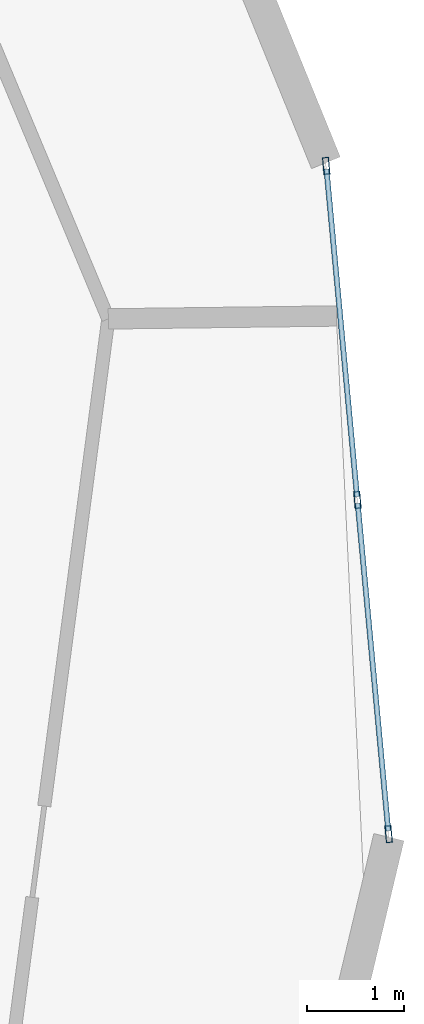
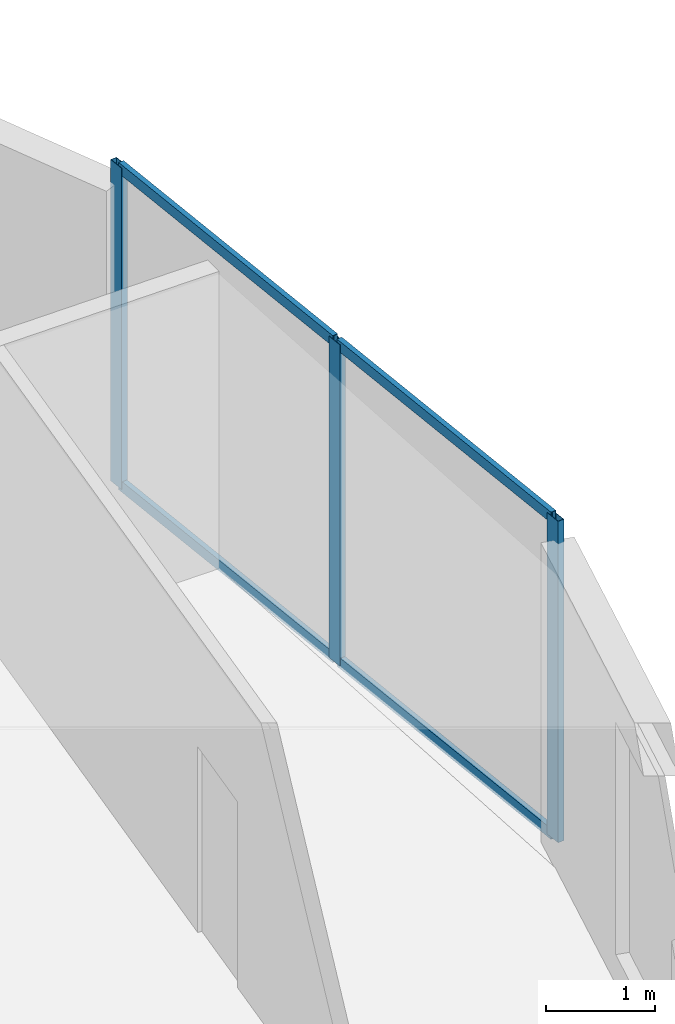
# One storey, part 11 of 22: 7 members, 1 element without a shape of its own.
"""IFC4 building model written with IfcOpenShell, lengths in metres."""

from ifc_helpers import new_model, si_unit, direction, frame, origin, origin_2d, place, context, subcontext, project, spatial, hollow_rectangle, extrude, source, transform, mapped, material, layer, layer_set, material_profile, profile_set, type_object, element, aggregate, save


model = new_model("IFC4")

# Units and contexts
model_context = context("Model", 3, precision=1e-05, world=origin(), true_north=direction((0.0, 1.0)))
body_context = subcontext(model_context, "Body", "Model", "MODEL_VIEW")
ifc_project = project(units=[si_unit("LENGTHUNIT", "METRE"), si_unit("AREAUNIT", "SQUARE_METRE"), si_unit("VOLUMEUNIT", "CUBIC_METRE"), si_unit("PLANEANGLEUNIT", "RADIAN"), si_unit("MASSUNIT", "GRAM", prefix="KILO")], contexts=[model_context])

# Site, building, storey
site_placement = place(None, origin())
site = spatial("IfcSite", under=ifc_project, at=site_placement, CompositionType="ELEMENT")
building_placement = place(site_placement, origin())
building = spatial("IfcBuilding", under=site, at=building_placement, Name="Solvirekh Grand Hotel", CompositionType="ELEMENT")
storey_placement = place(building_placement, frame((0.0, 0.0, 145.800048828125)))
storey = spatial("IfcBuildingStorey", under=building, at=storey_placement, Name="L37", CompositionType="ELEMENT", Elevation=145.800048828125)

# Curtain wall, members
ifc_material = material(Name="Anodized Bronze Aluminium 6063-T6", Category="aluminium")
ifc_layer = layer(ifc_material, 0.175048828125)
ifc_layer_set = layer_set([ifc_layer], Name="Anodized Bronze Aluminium 6063-T6")
curtain_wall_type = type_object("IfcCurtainWallType", Name="CW_Sys3_MidZoneFlushBronzeCW", PredefinedType="NOTDEFINED", material=ifc_layer_set)
curtain_wall_placement = place(storey_placement, origin())
curtain_wall = element("IfcCurtainWall", 1, at=curtain_wall_placement, inside=storey, type_object=curtain_wall_type, Name="L37 unitised bronze-glass curtain wall CW-L37-C03", PredefinedType="NOTDEFINED")
ifc_material_profile_1 = material_profile(ifc_material, hollow_rectangle(XDim=0.06494140625, YDim=0.175048828125, WallThickness=0.0048828125, at=origin_2d()), Name="ALU RHS 175X65X5")
ifc_profile_set_1 = profile_set([ifc_material_profile_1], Name="Anodized Bronze Aluminium 6063-T6")
member_type_1 = type_object("IfcMemberType", Name="CWMullion_Sys3", PredefinedType="MULLION", material=ifc_profile_set_1)
shared_shape_1 = source(origin(), body_context, "Body", "SweptSolid", [
    extrude(hollow_rectangle(XDim=0.06494140625, YDim=0.175048828125, WallThickness=0.0048828125, at=origin_2d()), origin(), (0.0, 0.0, 1.0), 3.599853515625),
])
member_1_placement = place(storey_placement, frame((23.455078125, -5.345703125, 0.0), z_axis=(0.0, 0.0, 1.0), x_axis=(-0.995666162308, -0.092999425997, 0.0)))
member_1 = element("IfcMember", 2, at=member_1_placement, type_object=member_type_1, Name="U03 mullion 1", PredefinedType="MULLION", context=body_context, shape_type="MappedRepresentation", body=[
    mapped(shared_shape_1, transform((0.0, 0.0, 0.0), x_axis=(1.0, 0.0, 0.0), y_axis=(0.0, 1.0, 0.0), z_axis=(0.0, 0.0, 1.0), scale=1.0)),
])
member_2_placement = place(storey_placement, frame((23.133056640625, -1.8984375, 0.0), z_axis=(0.0, 0.0, 1.0), x_axis=(-0.995666162308, -0.092999425997, 0.0)))
member_2 = element("IfcMember", 3, at=member_2_placement, type_object=member_type_1, Name="U03 mullion 2", PredefinedType="MULLION", context=body_context, shape_type="MappedRepresentation", body=[
    mapped(shared_shape_1, transform((0.0, 0.0, 0.0), x_axis=(1.0, 0.0, 0.0), y_axis=(0.0, 1.0, 0.0), z_axis=(0.0, 0.0, 1.0), scale=1.0)),
])
member_3_placement = place(storey_placement, frame((22.81103515625, 1.548583984375, 0.0), z_axis=(0.0, 0.0, 1.0), x_axis=(-0.995666162308, -0.092999425997, 0.0)))
member_3 = element("IfcMember", 4, at=member_3_placement, type_object=member_type_1, Name="U03 mullion 3", PredefinedType="MULLION", context=body_context, shape_type="MappedRepresentation", body=[
    mapped(shared_shape_1, transform((0.0, 0.0, 0.0), x_axis=(1.0, 0.0, 0.0), y_axis=(0.0, 1.0, 0.0), z_axis=(0.0, 0.0, 1.0), scale=1.0)),
])
ifc_material_profile_2 = material_profile(ifc_material, hollow_rectangle(XDim=0.054931640625, YDim=0.1201171875, WallThickness=0.00390625, at=origin_2d()), Name="ALU RHS 120X55X4")
ifc_profile_set_2 = profile_set([ifc_material_profile_2], Name="Anodized Bronze Aluminium 6063-T6")
member_type_2 = type_object("IfcMemberType", Name="CWTransom_Sys3", PredefinedType="USERDEFINED", material=ifc_profile_set_2)
shared_shape_2 = source(origin(), body_context, "Body", "SweptSolid", [
    extrude(hollow_rectangle(XDim=0.054931640625, YDim=0.1201171875, WallThickness=0.00390625, at=origin_2d()), origin(), (0.0, 0.0, 1.0), 3.397216796875),
])
member_4_placement = place(storey_placement, frame((23.1298828125, -1.8662109375, 0.02734375), z_axis=(-0.09299119515, 0.995666931069, 0.0), x_axis=(-0.995666931069, -0.09299119515, 0.0)))
member_4 = element("IfcMember", 5, at=member_4_placement, type_object=member_type_2, Name="U03 transom 2.1", ObjectType="TRANSOM", PredefinedType="USERDEFINED", context=body_context, shape_type="MappedRepresentation", body=[
    mapped(shared_shape_2, transform((0.0, 0.0, 0.0), x_axis=(1.0, 0.0, 0.0), y_axis=(0.0, 1.0, 0.0), z_axis=(0.0, 0.0, 1.0), scale=1.0)),
])
member_5_placement = place(storey_placement, frame((23.1298828125, -1.8662109375, 3.572509765625), z_axis=(-0.09299119515, 0.995666931069, 0.0), x_axis=(-0.995666931069, -0.09299119515, 0.0)))
member_5 = element("IfcMember", 6, at=member_5_placement, type_object=member_type_2, Name="U03 transom 2.2", ObjectType="TRANSOM", PredefinedType="USERDEFINED", context=body_context, shape_type="MappedRepresentation", body=[
    mapped(shared_shape_2, transform((0.0, 0.0, 0.0), x_axis=(1.0, 0.0, 0.0), y_axis=(0.0, 1.0, 0.0), z_axis=(0.0, 0.0, 1.0), scale=1.0)),
])
shared_shape_3 = source(origin(), body_context, "Body", "SweptSolid", [
    extrude(hollow_rectangle(XDim=0.054931640625, YDim=0.1201171875, WallThickness=0.00390625, at=origin_2d()), origin(), (0.0, 0.0, 1.0), 3.39697265625),
])
member_6_placement = place(storey_placement, frame((23.451904296875, -5.313232421875, 0.02734375), z_axis=(-0.092997849328, 0.995666309574, 0.0), x_axis=(-0.995666309574, -0.092997849328, 0.0)))
member_6 = element("IfcMember", 7, at=member_6_placement, type_object=member_type_2, Name="U03 transom 1.1", ObjectType="TRANSOM", PredefinedType="USERDEFINED", context=body_context, shape_type="MappedRepresentation", body=[
    mapped(shared_shape_3, transform((0.0, 0.0, 0.0), x_axis=(1.0, 0.0, 0.0), y_axis=(0.0, 1.0, 0.0), z_axis=(0.0, 0.0, 1.0), scale=1.0)),
])
member_7_placement = place(storey_placement, frame((23.451904296875, -5.313232421875, 3.572509765625), z_axis=(-0.092997849328, 0.995666309574, 0.0), x_axis=(-0.995666309574, -0.092997849328, 0.0)))
member_7 = element("IfcMember", 8, at=member_7_placement, type_object=member_type_2, Name="U03 transom 1.2", ObjectType="TRANSOM", PredefinedType="USERDEFINED", context=body_context, shape_type="MappedRepresentation", body=[
    mapped(shared_shape_3, transform((0.0, 0.0, 0.0), x_axis=(1.0, 0.0, 0.0), y_axis=(0.0, 1.0, 0.0), z_axis=(0.0, 0.0, 1.0), scale=1.0)),
])
aggregate(curtain_wall, [member_1, member_2, member_3, member_6, member_7, member_4, member_5])

save(model, "model.ifc")
